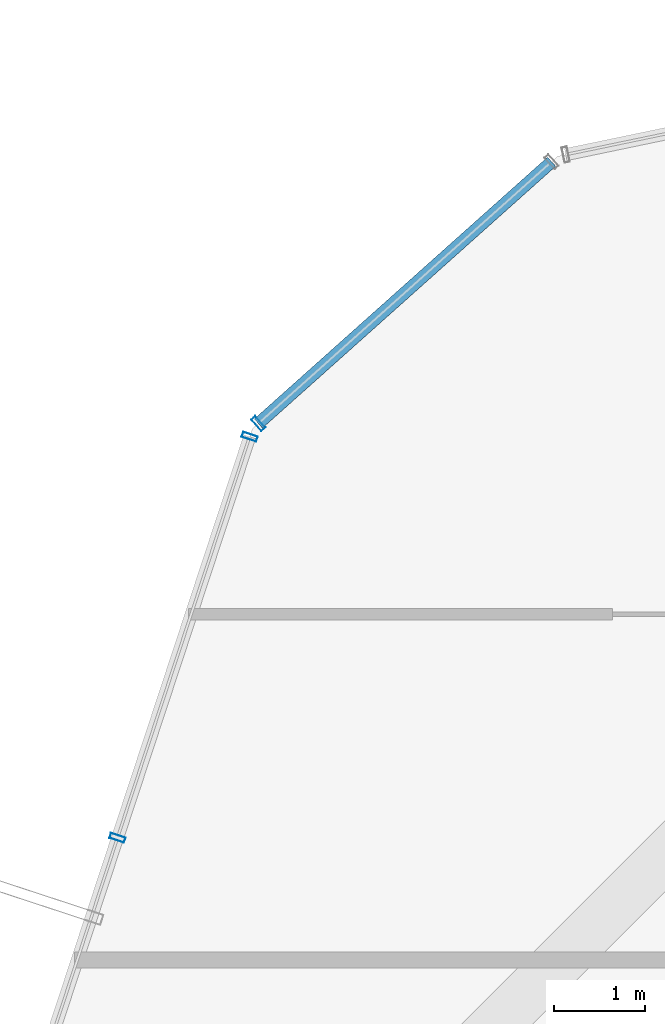
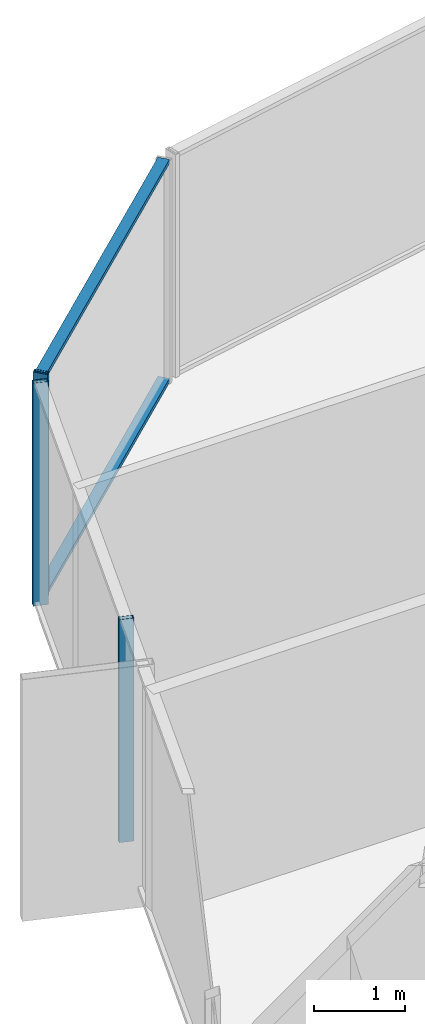
# One storey, part 21 of 38: 5 members, 2 elements without a shape of their own.
"""IFC4 building model written with IfcOpenShell, lengths in metres."""

from ifc_helpers import new_model, si_unit, direction, frame, origin, origin_2d, place, context, subcontext, project, spatial, hollow_rectangle, extrude, source, transform, mapped, material, layer, layer_set, material_profile, profile_set, type_object, element, aggregate, save


model = new_model("IFC4")

# Units and contexts
model_context = context("Model", 3, precision=1e-05, world=origin(), true_north=direction((0.0, 1.0)))
body_context = subcontext(model_context, "Body", "Model", "MODEL_VIEW")
ifc_project = project(units=[si_unit("LENGTHUNIT", "METRE"), si_unit("AREAUNIT", "SQUARE_METRE"), si_unit("VOLUMEUNIT", "CUBIC_METRE"), si_unit("PLANEANGLEUNIT", "RADIAN"), si_unit("MASSUNIT", "GRAM", prefix="KILO")], contexts=[model_context])

# Site, building, storey
site_placement = place(None, origin())
site = spatial("IfcSite", under=ifc_project, at=site_placement, CompositionType="ELEMENT")
building_placement = place(site_placement, origin())
building = spatial("IfcBuilding", under=site, at=building_placement, Name="Veraguas Prism Commons", CompositionType="ELEMENT")
storey_placement = place(building_placement, frame((0.0, 0.0, 64.10009765625)))
storey = spatial("IfcBuildingStorey", under=building, at=storey_placement, Name="L17", CompositionType="ELEMENT", Elevation=64.10009765625)

# Curtain wall, members
ifc_material = material(Name="Anodised aluminium EN AW-6063 T6", Category="aluminium")
ifc_layer = layer(ifc_material, 0.169921875, Name="Unitised Flush Curtain Wall Zone 1", Category="aluminium")
ifc_layer_set = layer_set([ifc_layer], Name="Anodised aluminium EN AW-6063 T6")
curtain_wall_type = type_object("IfcCurtainWallType", Name="Unitised Flush Curtain Wall Zone 1", PredefinedType="NOTDEFINED", material=ifc_layer_set)
curtain_wall_1_placement = place(storey_placement, origin())
curtain_wall_1 = element("IfcCurtainWall", 1, at=curtain_wall_1_placement, inside=storey, type_object=curtain_wall_type, Name="Chamfer Curtain Wall L17-C3", PredefinedType="NOTDEFINED")
ifc_material_profile_1 = material_profile(ifc_material, hollow_rectangle(XDim=0.054931640625, YDim=0.135009765625, WallThickness=0.0029296875, at=origin_2d()), Name="AL55X135X3")
ifc_profile_set_1 = profile_set([ifc_material_profile_1], Name="Anodised aluminium EN AW-6063 T6")
member_type_1 = type_object("IfcMemberType", Name="Curtain Wall Transom Standard AL 55x135x3", PredefinedType="USERDEFINED", material=ifc_profile_set_1)
shared_shape_1 = source(origin(), body_context, "Body", "SweptSolid", [
    extrude(hollow_rectangle(XDim=0.054931640625, YDim=0.135009765625, WallThickness=0.0029296875, at=origin_2d()), origin(), (0.0, 0.0, 1.0), 4.31982421875),
])
member_1_placement = place(storey_placement, frame((10.4921875, 42.3720703125, 0.02734375), z_axis=(-0.745960725028, -0.665989937399, 0.0), x_axis=(0.0, 0.0, 1.0)))
member_1 = element("IfcMember", 2, at=member_1_placement, type_object=member_type_1, Name="CW-Z1 Transom 1", ObjectType="TRANSOM", PredefinedType="USERDEFINED", context=body_context, shape_type="MappedRepresentation", body=[
    mapped(shared_shape_1, transform((0.0, 0.0, 0.0), scale=1.0)),
])
member_2_placement = place(storey_placement, frame((10.4921875, 42.3720703125, 2.972412109375), z_axis=(-0.745960725028, -0.665989937399, 0.0), x_axis=(0.0, 0.0, 1.0)))
member_2 = element("IfcMember", 3, at=member_2_placement, type_object=member_type_1, Name="CW-Z1 Transom 2", ObjectType="TRANSOM", PredefinedType="USERDEFINED", context=body_context, shape_type="MappedRepresentation", body=[
    mapped(shared_shape_1, transform((0.0, 0.0, 0.0), scale=1.0)),
])

curtain_wall_2_placement = place(storey_placement, origin())
curtain_wall_2 = element("IfcCurtainWall", 4, at=curtain_wall_2_placement, inside=storey, type_object=curtain_wall_type, Name="Tower Facade Curtain Wall L17-F3", PredefinedType="NOTDEFINED")
ifc_material_profile_2 = material_profile(ifc_material, hollow_rectangle(XDim=0.06005859375, YDim=0.169921875, WallThickness=0.00390625, at=origin_2d()), Name="AL60X170X4")
ifc_profile_set_2 = profile_set([ifc_material_profile_2], Name="Anodised aluminium EN AW-6063 T6")
member_type_2 = type_object("IfcMemberType", Name="Curtain Wall Mullion Lower AL 60x170x4", PredefinedType="MULLION", material=ifc_profile_set_2)
shared_shape_2 = source(origin(), body_context, "Body", "SweptSolid", [
    extrude(hollow_rectangle(XDim=0.06005859375, YDim=0.169921875, WallThickness=0.00390625, at=origin_2d()), origin(), (0.0, 0.0, 1.0), 3.0),
])
member_3_placement = place(storey_placement, frame((7.17431640625, 39.349609375, 0.0), z_axis=(0.0, 0.0, 1.0), x_axis=(-0.312991417409, -0.949755954248, 0.0)))
member_3 = element("IfcMember", 5, at=member_3_placement, type_object=member_type_2, Name="CW-Z1 Mullion 1", PredefinedType="MULLION", context=body_context, shape_type="MappedRepresentation", body=[
    mapped(shared_shape_2, transform((0.0, 0.0, 0.0), scale=1.0)),
])
member_4_placement = place(storey_placement, frame((5.7216796875, 34.94189453125, 0.0), z_axis=(0.0, 0.0, 1.0), x_axis=(-0.312991417409, -0.949755954248, 0.0)))
member_4 = element("IfcMember", 6, at=member_4_placement, type_object=member_type_2, Name="CW-Z1 Mullion 2", PredefinedType="MULLION", context=body_context, shape_type="MappedRepresentation", body=[
    mapped(shared_shape_2, transform((0.0, 0.0, 0.0), scale=1.0)),
])
aggregate(curtain_wall_2, [member_3, member_4])

# Member
member_5_placement = place(storey_placement, frame((7.269775390625, 39.4951171875, 0.0), z_axis=(0.0, 0.0, 1.0), x_axis=(-0.745953931797, -0.66599754627, 0.0)))
member_5 = element("IfcMember", 7, at=member_5_placement, type_object=member_type_2, Name="CW-Z1 Mullion 2", PredefinedType="MULLION", context=body_context, shape_type="MappedRepresentation", body=[
    mapped(shared_shape_2, transform((0.0, 0.0, 0.0), scale=1.0)),
])

aggregate(curtain_wall_1, [member_5, member_1, member_2])

save(model, "model.ifc")
